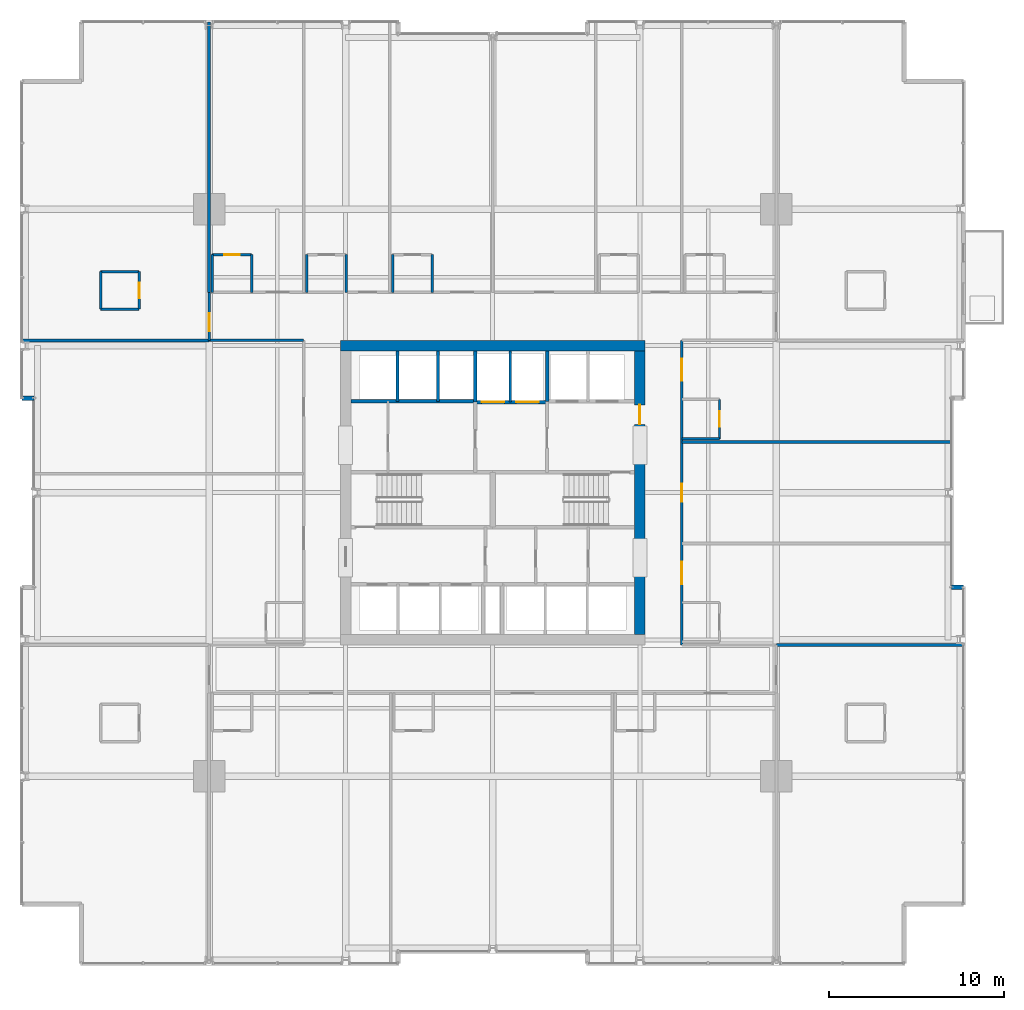
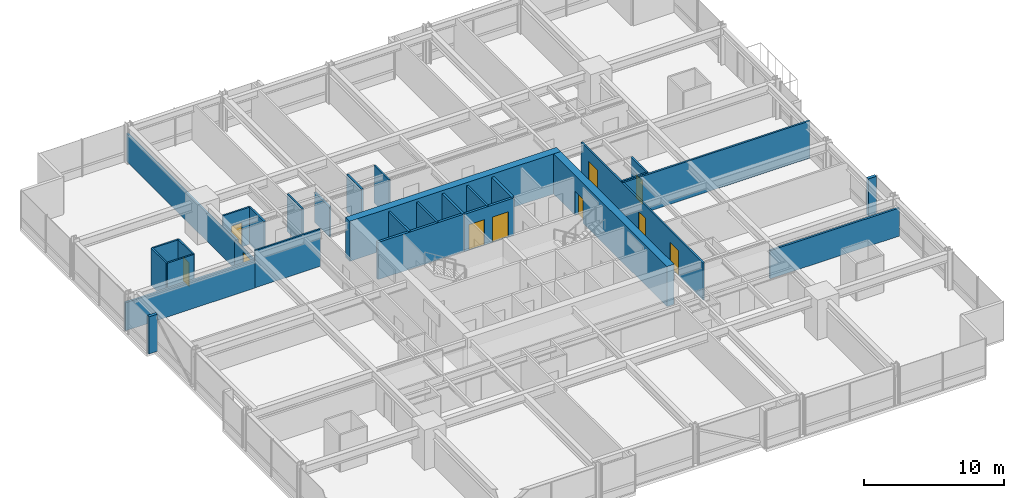
# One storey, part 32 of 38: 31 walls, 10 doors, 10 openings.
"""IFC4 building model written with IfcOpenShell, lengths in metres."""

from ifc_helpers import new_model, si_unit, direction, frame, frame_2d, origin, place, context, subcontext, project, spatial, rectangle, extrude, material, layer, layer_set, type_object, element, fill, save


model = new_model("IFC4")

# Units and contexts
model_context = context("Model", 3, precision=1e-05, world=origin(), true_north=direction((0.0, 1.0)))
body_context = subcontext(model_context, "Body", "Model", "MODEL_VIEW")
ifc_project = project(units=[si_unit("LENGTHUNIT", "METRE"), si_unit("AREAUNIT", "SQUARE_METRE"), si_unit("VOLUMEUNIT", "CUBIC_METRE"), si_unit("PLANEANGLEUNIT", "RADIAN"), si_unit("MASSUNIT", "GRAM", prefix="KILO")], contexts=[model_context])

# Site, building, storey
site_placement = place(None, origin())
site = spatial("IfcSite", under=ifc_project, at=site_placement, CompositionType="ELEMENT")
building_placement = place(site_placement, origin())
building = spatial("IfcBuilding", under=site, at=building_placement, Name="Drelvath Grand Hotel", CompositionType="ELEMENT")
storey_placement = place(building_placement, frame((0.0, 0.0, 71.699951171875)))
storey = spatial("IfcBuildingStorey", under=building, at=storey_placement, Name="L17", CompositionType="ELEMENT", Elevation=71.699951171875)

# Wall
ifc_material_1 = material(Name="Concrete C40/50", Category="concrete")
ifc_layer_1 = layer(ifc_material_1, 0.199951171875)
ifc_layer_set_1 = layer_set([ifc_layer_1], Name="Concrete C40/50")
wall_type_1 = type_object("IfcWallType", Name="Core Hoistway Fire Wall 200", PredefinedType="SOLIDWALL", material=ifc_layer_set_1)
wall_1_placement = place(storey_placement, frame((3.10009765625, 32.219970703125, 0.0), z_axis=(0.0, 0.0, 1.0), x_axis=(0.0, 1.0, 0.0)))
element("IfcWall", 1, at=wall_1_placement, inside=storey, type_object=wall_type_1, Name="L17 FSAE Hoistway West Wall", PredefinedType="SOLIDWALL", context=body_context, shape_type="SweptSolid", body=[
    extrude(rectangle(XDim=2.880126953125, YDim=0.199951171875, at=frame_2d((1.43994140625, 0.0))), origin(), (0.0, 0.0, 1.0), 3.239990234375),
])

# Wall, openings, doors
wall_2_placement = place(storey_placement, frame((-1.0, 32.179931640625, 0.0), z_axis=(0.0, 0.0, 1.0), x_axis=(1.0, 0.0, 0.0)))
wall_2 = element("IfcWall", 2, at=wall_2_placement, inside=storey, type_object=wall_type_1, Name="L17 Service Lift Hoistway Wall", PredefinedType="SOLIDWALL", context=body_context, shape_type="SweptSolid", body=[
    extrude(rectangle(XDim=4.10009765625, YDim=0.199951171875, at=frame_2d((2.050048828125, 0.0))), origin(), (0.0, 0.0, 1.0), 3.239990234375),
])
opening_1_placement = place(wall_2_placement, frame((0.3701171875, 0.0, 0.0)))
opening_1 = element("IfcOpeningElement", 3, at=opening_1_placement, cuts=wall_2, Name="Opening LD-SV-2", PredefinedType="OPENING", context=body_context, shape_type="SweptSolid", body=[
    extrude(rectangle(XDim=1.300048828125, YDim=2.199951171875, at=frame_2d((0.64990234375, 1.10009765625))), frame((0.0, 0.10986328125, 0.0), z_axis=(0.0, -1.0, 0.0), x_axis=(1.0, 0.0, 0.0)), (0.0, 0.0, 1.0), 0.219970703125),
])
opening_2_placement = place(wall_2_placement, frame((2.330078125, 0.0, 0.0)))
opening_2 = element("IfcOpeningElement", 4, at=opening_2_placement, cuts=wall_2, Name="Opening LD-SV-1", PredefinedType="OPENING", context=body_context, shape_type="SweptSolid", body=[
    extrude(rectangle(XDim=1.300048828125, YDim=2.199951171875, at=frame_2d((0.64990234375, 1.10009765625))), frame((0.0, 0.10986328125, 0.0), z_axis=(0.0, -1.0, 0.0), x_axis=(1.0, 0.0, 0.0)), (0.0, 0.0, 1.0), 0.219970703125),
])
ifc_material_2 = material(Name="Stainless Steel S355", Category="steel")
door_type_1 = type_object("IfcDoorType", Name="Service Lift Sliding Landing Door 1300x2200", OperationType="NOTDEFINED", PredefinedType="DOOR", material=ifc_material_2)
door_1_placement = place(opening_1_placement, origin())
door_1 = element("IfcDoor", 5, at=door_1_placement, inside=storey, type_object=door_type_1, Name="L17 Lift SV-2 Landing Door", OperationType="SLIDING_TO_LEFT", OverallHeight=2.199951171875, OverallWidth=1.300048828125, PredefinedType="DOOR", context=body_context, shape_type="SweptSolid", body=[
    extrude(rectangle(XDim=1.300048828125, YDim=2.199951171875, at=frame_2d((0.64990234375, 1.10009765625))), frame((0.0, 0.02490234375, 0.0), z_axis=(0.0, -1.0, 0.0), x_axis=(1.0, 0.0, 0.0)), (0.0, 0.0, 1.0), 0.050048828125),
])
fill(opening_1, door_1)
door_2_placement = place(opening_2_placement, origin())
door_2 = element("IfcDoor", 6, at=door_2_placement, inside=storey, type_object=door_type_1, Name="L17 Lift SV-1 Landing Door", OperationType="SLIDING_TO_LEFT", OverallHeight=2.199951171875, OverallWidth=1.300048828125, PredefinedType="DOOR", context=body_context, shape_type="SweptSolid", body=[
    extrude(rectangle(XDim=1.300048828125, YDim=2.199951171875, at=frame_2d((0.64990234375, 1.10009765625))), frame((0.0, 0.02490234375, 0.0), z_axis=(0.0, -1.0, 0.0), x_axis=(1.0, 0.0, 0.0)), (0.0, 0.0, 1.0), 0.050048828125),
])
fill(opening_2, door_2)

# Walls
wall_3_placement = place(storey_placement, frame((-1.0, 32.179931640625, 0.0), z_axis=(0.0, 0.0, 1.0), x_axis=(0.0, 1.0, 0.0)))
element("IfcWall", 7, at=wall_3_placement, inside=storey, type_object=wall_type_1, Name="L17 Service Lift West Wall", PredefinedType="SOLIDWALL", context=body_context, shape_type="SweptSolid", body=[
    extrude(rectangle(XDim=2.920166015625, YDim=0.199951171875, at=frame_2d((1.4599609375, 0.0))), origin(), (0.0, 0.0, 1.0), 3.239990234375),
])
wall_4_placement = place(storey_placement, frame((-8.10009765625, 32.219970703125, 0.0), z_axis=(0.0, 0.0, 1.0), x_axis=(1.0, 0.0, 0.0)))
element("IfcWall", 8, at=wall_4_placement, inside=storey, type_object=wall_type_1, Name="L17 Bank 3 Hoistway Wall", PredefinedType="SOLIDWALL", context=body_context, shape_type="SweptSolid", body=[
    extrude(rectangle(XDim=7.10009765625, YDim=0.199951171875, at=frame_2d((3.550048828125, 0.0))), origin(), (0.0, 0.0, 1.0), 3.239990234375),
])
ifc_material_3 = material(Name="Gypsum Fireboard Partition")
ifc_layer_2 = layer(ifc_material_3, 0.1650390625)
ifc_layer_set_2 = layer_set([ifc_layer_2], Name="Gypsum Fireboard Partition")
wall_type_2 = type_object("IfcWallType", Name="Core Shaft Partition 165", PredefinedType="PARTITIONING", material=ifc_layer_set_2)
wall_5_placement = place(storey_placement, frame((1.0, 32.179931640625, 0.0), z_axis=(0.0, 0.0, 1.0), x_axis=(0.0, 1.0, 0.0)))
element("IfcWall", 9, at=wall_5_placement, inside=storey, type_object=wall_type_2, Name="L17 Service Lift Divider", PredefinedType="PARTITIONING", context=body_context, shape_type="SweptSolid", body=[
    extrude(rectangle(XDim=2.920166015625, YDim=0.1650390625, at=frame_2d((1.4599609375, 0.0))), origin(), (0.0, 0.0, 1.0), 3.239990234375),
])
for number, where, z_axis, x_axis, name in (
    (10, (-5.43994140625, 32.219970703125, 0.0), (0.0, 0.0, 1.0), (0.0, 1.0, 0.0), "L17 Lift PE-7/8 Divider"),
    (11, (-3.1201171875, 32.219970703125, 0.0), (0.0, 0.0, 1.0), (0.0, 1.0, 0.0), "L17 Lift PE-8/9 Divider"),
):
    element("IfcWall", number, at=place(storey_placement, frame(where, z_axis=z_axis, x_axis=x_axis)), inside=storey, type_object=wall_type_2, Name=name, PredefinedType="PARTITIONING", context=body_context, shape_type="SweptSolid", body=[
        extrude(rectangle(XDim=2.880126953125, YDim=0.1650390625, at=frame_2d((1.43994140625, 0.0))), origin(), (0.0, 0.0, 1.0), 3.239990234375),
    ])
ifc_layer_3 = layer(ifc_material_3, 0.135009765625)
ifc_layer_set_3 = layer_set([ifc_layer_3], Name="Gypsum Fireboard Partition")
wall_type_3 = type_object("IfcWallType", Name="Corridor Fire Barrier Wall 135", PredefinedType="PARTITIONING", material=ifc_layer_set_3)
wall_6_placement = place(storey_placement, frame((-16.199951171875, 35.699951171875, 0.0), z_axis=(0.0, 0.0, 1.0), x_axis=(1.0, 0.0, 0.0)))
element("IfcWall", 12, at=wall_6_placement, inside=storey, type_object=wall_type_3, Name="L17 NW Spur Inner Wall", PredefinedType="PARTITIONING", context=body_context, shape_type="SweptSolid", body=[
    extrude(rectangle(XDim=5.39990234375, YDim=0.135009765625, at=frame_2d((2.699951171875, 0.0))), origin(), (0.0, 0.0, 1.0), 3.239990234375),
])

# Wall, openings, doors
wall_7_placement = place(storey_placement, frame((10.800048828125, 18.300048828125, 0.0), z_axis=(0.0, 0.0, 1.0), x_axis=(0.0, 1.0, 0.0)))
wall_7 = element("IfcWall", 13, at=wall_7_placement, inside=storey, type_object=wall_type_3, Name="L17 East Corridor Wall", PredefinedType="PARTITIONING", context=body_context, shape_type="SweptSolid", body=[
    extrude(rectangle(XDim=17.39990234375, YDim=0.135009765625, at=frame_2d((8.699951171875, 0.0))), origin(), (0.0, 0.0, 1.0), 3.239990234375),
])
opening_3_placement = place(wall_7_placement, frame((3.485107421875, 0.0, 0.0)))
opening_3 = element("IfcOpeningElement", 14, at=opening_3_placement, cuts=wall_7, Name="Opening D-T1G4-047", PredefinedType="OPENING", context=body_context, shape_type="SweptSolid", body=[
    extrude(rectangle(XDim=1.260009765625, YDim=2.199951171875, at=frame_2d((0.6298828125, 1.10009765625))), frame((0.0, 0.077392578125, 0.0), z_axis=(0.0, -1.0, 0.0), x_axis=(1.0, 0.0, 0.0)), (0.0, 0.0, 1.0), 0.155029296875),
])
opening_4_placement = place(wall_7_placement, frame((8.18994140625, 0.0, 0.0)))
opening_4 = element("IfcOpeningElement", 15, at=opening_4_placement, cuts=wall_7, Name="Opening D-T1G4-048", PredefinedType="OPENING", context=body_context, shape_type="SweptSolid", body=[
    extrude(rectangle(XDim=1.02001953125, YDim=2.14990234375, at=frame_2d((0.510009765625, 1.074951171875))), frame((0.0, 0.077392578125, 0.0), z_axis=(0.0, -1.0, 0.0), x_axis=(1.0, 0.0, 0.0)), (0.0, 0.0, 1.0), 0.155029296875),
])
opening_5_placement = place(wall_7_placement, frame((15.0849609375, 0.0, 0.0)))
opening_5 = element("IfcOpeningElement", 16, at=opening_5_placement, cuts=wall_7, Name="Opening D-T1G4-050", PredefinedType="OPENING", context=body_context, shape_type="SweptSolid", body=[
    extrude(rectangle(XDim=1.260009765625, YDim=2.199951171875, at=frame_2d((0.6298828125, 1.10009765625))), frame((0.0, 0.077392578125, 0.0), z_axis=(0.0, -1.0, 0.0), x_axis=(1.0, 0.0, 0.0)), (0.0, 0.0, 1.0), 0.155029296875),
])
ifc_material_4 = material(Name="Hardwood Walnut Timber", Category="wood")
door_type_2 = type_object("IfcDoorType", Name="Amenity Meeting Fire Door 1020x2150", OperationType="NOTDEFINED", PredefinedType="DOOR", material=ifc_material_4)
door_3_placement = place(opening_4_placement, origin())
door_3 = element("IfcDoor", 17, at=door_3_placement, inside=storey, type_object=door_type_2, Name="L17 Hospitality Management Office Entry Door", OperationType="SINGLE_SWING_LEFT", OverallHeight=2.14990234375, OverallWidth=1.02001953125, PredefinedType="DOOR", context=body_context, shape_type="SweptSolid", body=[
    extrude(rectangle(XDim=1.02001953125, YDim=2.14990234375, at=frame_2d((0.510009765625, 1.074951171875))), frame((0.0, 0.02490234375, 0.0), z_axis=(0.0, -1.0, 0.0), x_axis=(1.0, 0.0, 0.0)), (0.0, 0.0, 1.0), 0.050048828125),
])
fill(opening_4, door_3)
door_type_3 = type_object("IfcDoorType", Name="Suite Entrance Fire Door 1260x2200", OperationType="NOTDEFINED", PredefinedType="DOOR", material=ifc_material_4)
door_4_placement = place(opening_3_placement, origin())
door_4 = element("IfcDoor", 18, at=door_4_placement, inside=storey, type_object=door_type_3, Name="L17 Corner Suite Entry Door", OperationType="SINGLE_SWING_RIGHT", OverallHeight=2.199951171875, OverallWidth=1.260009765625, PredefinedType="DOOR", context=body_context, shape_type="SweptSolid", body=[
    extrude(rectangle(XDim=1.260009765625, YDim=2.199951171875, at=frame_2d((0.6298828125, 1.10009765625))), frame((0.0, 0.02490234375, 0.0), z_axis=(0.0, -1.0, 0.0), x_axis=(1.0, 0.0, 0.0)), (0.0, 0.0, 1.0), 0.050048828125),
])
fill(opening_3, door_4)
door_5_placement = place(opening_5_placement, origin())
door_5 = element("IfcDoor", 19, at=door_5_placement, inside=storey, type_object=door_type_3, Name="L17 Corner Suite Entry Door", OperationType="SINGLE_SWING_LEFT", OverallHeight=2.199951171875, OverallWidth=1.260009765625, PredefinedType="DOOR", context=body_context, shape_type="SweptSolid", body=[
    extrude(rectangle(XDim=1.260009765625, YDim=2.199951171875, at=frame_2d((0.6298828125, 1.10009765625))), frame((0.0, 0.02490234375, 0.0), z_axis=(0.0, -1.0, 0.0), x_axis=(1.0, 0.0, 0.0)), (0.0, 0.0, 1.0), 0.050048828125),
])
fill(opening_5, door_5)

# Wall, opening, door
wall_8_placement = place(storey_placement, frame((-16.199951171875, 35.699951171875, 0.0), z_axis=(0.0, 0.0, 1.0), x_axis=(0.0, 1.0, 0.0)))
wall_8 = element("IfcWall", 20, at=wall_8_placement, inside=storey, type_object=wall_type_3, Name="L17 North Corridor West End", PredefinedType="PARTITIONING", context=body_context, shape_type="SweptSolid", body=[
    extrude(rectangle(XDim=2.75, YDim=0.135009765625, at=frame_2d((1.375, 0.0))), origin(), (0.0, 0.0, 1.0), 2.451904296875),
])
opening_6_placement = place(wall_8_placement, frame((0.52001953125, 0.0, 0.0)))
opening_6 = element("IfcOpeningElement", 21, at=opening_6_placement, cuts=wall_8, Name="Opening D-T1G4-023", PredefinedType="OPENING", context=body_context, shape_type="SweptSolid", body=[
    extrude(rectangle(XDim=1.02001953125, YDim=2.14990234375, at=frame_2d((0.510009765625, 1.074951171875))), frame((0.0, 0.077392578125, 0.0), z_axis=(0.0, -1.0, 0.0), x_axis=(1.0, 0.0, 0.0)), (0.0, 0.0, 1.0), 0.155029296875),
])
door_6_placement = place(opening_6_placement, origin())
door_6 = element("IfcDoor", 22, at=door_6_placement, inside=storey, type_object=door_type_2, Name="L17 Corner Suite Entry Door", OperationType="SINGLE_SWING_RIGHT", OverallHeight=2.14990234375, OverallWidth=1.02001953125, PredefinedType="DOOR", context=body_context, shape_type="SweptSolid", body=[
    extrude(rectangle(XDim=1.02001953125, YDim=2.14990234375, at=frame_2d((0.510009765625, 1.074951171875))), frame((0.0, 0.02490234375, 0.0), z_axis=(0.0, -1.0, 0.0), x_axis=(1.0, 0.0, 0.0)), (0.0, 0.0, 1.0), 0.050048828125),
])
fill(opening_6, door_6)

# Walls
ifc_material_5 = material(Name="Moisture-Resistant Gypsum Board")
ifc_layer_4 = layer(ifc_material_5, 0.139892578125)
ifc_layer_set_4 = layer_set([ifc_layer_4], Name="Moisture-Resistant Gypsum Board")
wall_type_4 = type_object("IfcWallType", Name="En-Suite Plumbing Wall 140", PredefinedType="PLUMBINGWALL", material=ifc_layer_set_4)
for number, where, z_axis, x_axis, name in (
    (23, (-22.39990234375, 37.47998046875, 0.0), (0.0, 0.0, 1.0), (1.0, 0.0, 0.0), "L17 Corner En-Suite South"),
    (24, (-22.39990234375, 39.6298828125, 0.0), (0.0, 0.0, 1.0), (1.0, 0.0, 0.0), "L17 Corner En-Suite North"),
):
    element("IfcWall", number, at=place(storey_placement, frame(where, z_axis=z_axis, x_axis=x_axis)), inside=storey, type_object=wall_type_4, Name=name, PredefinedType="PLUMBINGWALL", context=body_context, shape_type="SweptSolid", body=[
        extrude(rectangle(XDim=2.199951171875, YDim=0.139892578125, at=frame_2d((1.10009765625, 0.0))), origin(), (0.0, 0.0, 1.0), 3.239990234375),
    ])
wall_9_placement = place(storey_placement, frame((-22.39990234375, 37.47998046875, 0.0), z_axis=(0.0, 0.0, 1.0), x_axis=(0.0, 1.0, 0.0)))
element("IfcWall", 25, at=wall_9_placement, inside=storey, type_object=wall_type_4, Name="L17 Corner En-Suite West", PredefinedType="PLUMBINGWALL", context=body_context, shape_type="SweptSolid", body=[
    extrude(rectangle(XDim=2.14990234375, YDim=0.139892578125, at=frame_2d((1.074951171875, 0.0))), origin(), (0.0, 0.0, 1.0), 3.239990234375),
])

# Wall, opening, door
wall_10_placement = place(storey_placement, frame((-20.199951171875, 37.47998046875, 0.0), z_axis=(0.0, 0.0, 1.0), x_axis=(0.0, 1.0, 0.0)))
wall_10 = element("IfcWall", 26, at=wall_10_placement, inside=storey, type_object=wall_type_4, Name="L17 Corner En-Suite East", PredefinedType="PLUMBINGWALL", context=body_context, shape_type="SweptSolid", body=[
    extrude(rectangle(XDim=2.14990234375, YDim=0.139892578125, at=frame_2d((1.074951171875, 0.0))), origin(), (0.0, 0.0, 1.0), 3.239990234375),
])
opening_7_placement = place(wall_10_placement, frame((0.6201171875, 0.0, 0.0)))
opening_7 = element("IfcOpeningElement", 27, at=opening_7_placement, cuts=wall_10, Name="Opening D-T1G4-022", PredefinedType="OPENING", context=body_context, shape_type="SweptSolid", body=[
    extrude(rectangle(XDim=0.8798828125, YDim=2.10009765625, at=frame_2d((0.43994140625, 1.050048828125))), frame((0.0, 0.079833984375, 0.0), z_axis=(0.0, -1.0, 0.0), x_axis=(1.0, 0.0, 0.0)), (0.0, 0.0, 1.0), 0.159912109375),
])
door_type_4 = type_object("IfcDoorType", Name="En-Suite Bathroom Door 880x2100", OperationType="NOTDEFINED", PredefinedType="DOOR", material=ifc_material_4)
door_7_placement = place(opening_7_placement, origin())
door_7 = element("IfcDoor", 28, at=door_7_placement, inside=storey, type_object=door_type_4, Name="L17 Corner En-Suite Door", OperationType="SINGLE_SWING_LEFT", OverallHeight=2.10009765625, OverallWidth=0.8798828125, PredefinedType="DOOR", context=body_context, shape_type="SweptSolid", body=[
    extrude(rectangle(XDim=0.8798828125, YDim=2.10009765625, at=frame_2d((0.43994140625, 1.050048828125))), frame((0.0, 0.02490234375, 0.0), z_axis=(0.0, -1.0, 0.0), x_axis=(1.0, 0.0, 0.0)), (0.0, 0.0, 1.0), 0.050048828125),
])
fill(opening_7, door_7)

# Walls
wall_11_placement = place(storey_placement, frame((-16.02001953125, 38.449951171875, 0.0), z_axis=(0.0, 0.0, 1.0), x_axis=(0.0, 1.0, 0.0)))
element("IfcWall", 29, at=wall_11_placement, inside=storey, type_object=wall_type_4, Name="L17 En-Suite Left Wall", PredefinedType="PLUMBINGWALL", context=body_context, shape_type="SweptSolid", body=[
    extrude(rectangle(XDim=2.150146484375, YDim=0.139892578125, at=frame_2d((1.0751953125, 0.0))), origin(), (0.0, 0.0, 1.0), 2.451904296875),
])
wall_12_placement = place(storey_placement, frame((-13.77001953125, 38.449951171875, 0.0), z_axis=(0.0, 0.0, 1.0), x_axis=(0.0, 1.0, 0.0)))
element("IfcWall", 30, at=wall_12_placement, inside=storey, type_object=wall_type_4, Name="L17 En-Suite Right Wall", PredefinedType="PLUMBINGWALL", context=body_context, shape_type="SweptSolid", body=[
    extrude(rectangle(XDim=2.150146484375, YDim=0.139892578125, at=frame_2d((1.0751953125, 0.0))), origin(), (0.0, 0.0, 1.0), 3.239990234375),
])

# Wall, opening, door
wall_13_placement = place(storey_placement, frame((-16.02001953125, 40.60009765625, 0.0), z_axis=(0.0, 0.0, 1.0), x_axis=(1.0, 0.0, 0.0)))
wall_13 = element("IfcWall", 31, at=wall_13_placement, inside=storey, type_object=wall_type_4, Name="L17 En-Suite Front Wall", PredefinedType="PLUMBINGWALL", context=body_context, shape_type="SweptSolid", body=[
    extrude(rectangle(XDim=2.25, YDim=0.139892578125, at=frame_2d((1.125, 0.0))), origin(), (0.0, 0.0, 1.0), 3.239990234375),
])
opening_8_placement = place(wall_13_placement, frame((0.68505859375, 0.0, 0.0)))
opening_8 = element("IfcOpeningElement", 32, at=opening_8_placement, cuts=wall_13, Name="Opening D-T1G4-032", PredefinedType="OPENING", context=body_context, shape_type="SweptSolid", body=[
    extrude(rectangle(XDim=0.8798828125, YDim=2.10009765625, at=frame_2d((0.43994140625, 1.050048828125))), frame((0.0, 0.079833984375, 0.0), z_axis=(0.0, -1.0, 0.0), x_axis=(1.0, 0.0, 0.0)), (0.0, 0.0, 1.0), 0.159912109375),
])
door_8_placement = place(opening_8_placement, origin())
door_8 = element("IfcDoor", 33, at=door_8_placement, inside=storey, type_object=door_type_4, Name="L17 En-Suite Bathroom Door", OperationType="SINGLE_SWING_LEFT", OverallHeight=2.10009765625, OverallWidth=0.8798828125, PredefinedType="DOOR", context=body_context, shape_type="SweptSolid", body=[
    extrude(rectangle(XDim=0.8798828125, YDim=2.10009765625, at=frame_2d((0.43994140625, 1.050048828125))), frame((0.0, 0.02490234375, 0.0), z_axis=(0.0, -1.0, 0.0), x_axis=(1.0, 0.0, 0.0)), (0.0, 0.0, 1.0), 0.050048828125),
])
fill(opening_8, door_8)

# Walls
wall_14_placement = place(storey_placement, frame((-10.6201171875, 38.449951171875, 0.0), z_axis=(0.0, 0.0, 1.0), x_axis=(0.0, 1.0, 0.0)))
element("IfcWall", 34, at=wall_14_placement, inside=storey, type_object=wall_type_4, Name="L17 En-Suite Left Wall", PredefinedType="PLUMBINGWALL", context=body_context, shape_type="SweptSolid", body=[
    extrude(rectangle(XDim=2.150146484375, YDim=0.139892578125, at=frame_2d((1.0751953125, 0.0))), origin(), (0.0, 0.0, 1.0), 3.239990234375),
])
wall_15_placement = place(storey_placement, frame((-8.3701171875, 38.449951171875, 0.0), z_axis=(0.0, 0.0, 1.0), x_axis=(0.0, 1.0, 0.0)))
element("IfcWall", 35, at=wall_15_placement, inside=storey, type_object=wall_type_4, Name="L17 En-Suite Right Wall", PredefinedType="PLUMBINGWALL", context=body_context, shape_type="SweptSolid", body=[
    extrude(rectangle(XDim=2.150146484375, YDim=0.139892578125, at=frame_2d((1.0751953125, 0.0))), origin(), (0.0, 0.0, 1.0), 2.617431640625),
])
for number, where, z_axis, x_axis, name in (
    (36, (-5.7109375, 38.449951171875, 0.0), (0.0, 0.0, 1.0), (0.0, 1.0, 0.0), "L17 En-Suite Left Wall"),
    (37, (-3.4609375, 38.449951171875, 0.0), (0.0, 0.0, 1.0), (0.0, 1.0, 0.0), "L17 En-Suite Right Wall"),
):
    element("IfcWall", number, at=place(storey_placement, frame(where, z_axis=z_axis, x_axis=x_axis)), inside=storey, type_object=wall_type_4, Name=name, PredefinedType="PLUMBINGWALL", context=body_context, shape_type="SweptSolid", body=[
        extrude(rectangle(XDim=2.150146484375, YDim=0.139892578125, at=frame_2d((1.0751953125, 0.0))), origin(), (0.0, 0.0, 1.0), 3.239990234375),
    ])
wall_16_placement = place(storey_placement, frame((10.800048828125, 30.080078125, 0.0), z_axis=(0.0, 0.0, 1.0), x_axis=(1.0, 0.0, 0.0)))
element("IfcWall", 38, at=wall_16_placement, inside=storey, type_object=wall_type_4, Name="L17 En-Suite Left Wall", PredefinedType="PLUMBINGWALL", context=body_context, shape_type="SweptSolid", body=[
    extrude(rectangle(XDim=2.14990234375, YDim=0.139892578125, at=frame_2d((1.074951171875, 0.0))), origin(), (0.0, 0.0, 1.0), 3.239990234375),
])

# Wall, opening, door
wall_17_placement = place(storey_placement, frame((12.949951171875, 30.080078125, 0.0), z_axis=(0.0, 0.0, 1.0), x_axis=(0.0, 1.0, 0.0)))
wall_17 = element("IfcWall", 39, at=wall_17_placement, inside=storey, type_object=wall_type_4, Name="L17 En-Suite Front Wall", PredefinedType="PLUMBINGWALL", context=body_context, shape_type="SweptSolid", body=[
    extrude(rectangle(XDim=2.25, YDim=0.139892578125, at=frame_2d((1.125, 0.0))), origin(), (0.0, 0.0, 1.0), 3.239990234375),
])
opening_9_placement = place(wall_17_placement, frame((0.68505859375, 0.0, 0.0)))
opening_9 = element("IfcOpeningElement", 40, at=opening_9_placement, cuts=wall_17, Name="Opening D-T1G4-049", PredefinedType="OPENING", context=body_context, shape_type="SweptSolid", body=[
    extrude(rectangle(XDim=0.8798828125, YDim=2.10009765625, at=frame_2d((0.43994140625, 1.050048828125))), frame((0.0, 0.079833984375, 0.0), z_axis=(0.0, -1.0, 0.0), x_axis=(1.0, 0.0, 0.0)), (0.0, 0.0, 1.0), 0.159912109375),
])
door_9_placement = place(opening_9_placement, origin())
door_9 = element("IfcDoor", 41, at=door_9_placement, inside=storey, type_object=door_type_4, Name="L17 En-Suite Bathroom Door", OperationType="SINGLE_SWING_RIGHT", OverallHeight=2.10009765625, OverallWidth=0.8798828125, PredefinedType="DOOR", context=body_context, shape_type="SweptSolid", body=[
    extrude(rectangle(XDim=0.8798828125, YDim=2.10009765625, at=frame_2d((0.43994140625, 1.050048828125))), frame((0.0, 0.02490234375, 0.0), z_axis=(0.0, -1.0, 0.0), x_axis=(1.0, 0.0, 0.0)), (0.0, 0.0, 1.0), 0.050048828125),
])
fill(opening_9, door_9)

# Walls
ifc_material_6 = material(Name="Gypsum Acoustic Partition")
ifc_layer_5 = layer(ifc_material_6, 0.14990234375)
ifc_layer_set_5 = layer_set([ifc_layer_5], Name="Gypsum Acoustic Partition")
wall_type_5 = type_object("IfcWallType", Name="Guestroom Demising Wall 150", PredefinedType="PARTITIONING", material=ifc_layer_set_5)
wall_18_placement = place(storey_placement, frame((10.800048828125, 29.89990234375, 0.0), z_axis=(0.0, 0.0, 1.0), x_axis=(1.0, 0.0, 0.0)))
element("IfcWall", 42, at=wall_18_placement, inside=storey, type_object=wall_type_5, Name="L17 East Demising 2", PredefinedType="PARTITIONING", context=body_context, shape_type="SweptSolid", body=[
    extrude(rectangle(XDim=15.39990234375, YDim=0.14990234375, at=frame_2d((7.699951171875, 0.0))), origin(), (0.0, 0.0, 1.0), 3.239990234375),
])
ifc_material_7 = material(Name="Concrete f'c 70 MPa", Category="concrete")
ifc_layer_6 = layer(ifc_material_7, 0.60009765625)
ifc_layer_set_6 = layer_set([ifc_layer_6], Name="Concrete f'c 70 MPa")
wall_type_6 = type_object("IfcWallType", Name="Lower Core RC Shear Wall 600", PredefinedType="SHEAR", material=ifc_layer_set_6)
wall_19_placement = place(storey_placement, frame((-8.699951171875, 35.39990234375, 0.0), z_axis=(0.0, 0.0, 1.0), x_axis=(1.0, 0.0, 0.0)))
element("IfcWall", 43, at=wall_19_placement, inside=storey, type_object=wall_type_6, Name="L17 Central Core Shear Wall N", PredefinedType="SHEAR", context=body_context, shape_type="SweptSolid", body=[
    extrude(rectangle(XDim=17.39990234375, YDim=0.60009765625, at=frame_2d((8.699951171875, 0.0))), origin(), (0.0, 0.0, 1.0), 3.5),
])

# Wall, opening, door
wall_20_placement = place(storey_placement, frame((8.39990234375, 35.10009765625, 0.0), z_axis=(0.0, 0.0, 1.0), x_axis=(0.0, -1.0, 0.0)))
wall_20 = element("IfcWall", 44, at=wall_20_placement, inside=storey, type_object=wall_type_6, Name="L17 Central Core Shear Wall E", PredefinedType="SHEAR", context=body_context, shape_type="SweptSolid", body=[
    extrude(rectangle(XDim=16.2001953125, YDim=0.60009765625, at=frame_2d((8.10009765625, 0.0))), origin(), (0.0, 0.0, 1.0), 3.5),
])
opening_10_placement = place(wall_20_placement, frame((3.080078125, 0.0, 0.0)))
opening_10 = element("IfcOpeningElement", 45, at=opening_10_placement, cuts=wall_20, Name="Opening D-T1G4-006", PredefinedType="OPENING", context=body_context, shape_type="SweptSolid", body=[
    extrude(rectangle(XDim=1.1201171875, YDim=2.10009765625, at=frame_2d((0.56005859375, 1.050048828125))), frame((0.0, 0.31005859375, 0.0), z_axis=(0.0, -1.0, 0.0), x_axis=(1.0, 0.0, 0.0)), (0.0, 0.0, 1.0), 0.6201171875),
])
ifc_material_8 = material(Name="Painted Steel S275", Category="steel")
door_type_5 = type_object("IfcDoorType", Name="FSAE Smoke Lobby Fire Door 1120x2100", OperationType="NOTDEFINED", PredefinedType="DOOR", material=ifc_material_8)
door_10_placement = place(opening_10_placement, origin())
door_10 = element("IfcDoor", 46, at=door_10_placement, inside=storey, type_object=door_type_5, Name="L17 FSAE Lobby East Corridor Door", OperationType="SINGLE_SWING_LEFT", OverallHeight=2.10009765625, OverallWidth=1.1201171875, PredefinedType="DOOR", context=body_context, shape_type="SweptSolid", body=[
    extrude(rectangle(XDim=1.1201171875, YDim=2.10009765625, at=frame_2d((0.56005859375, 1.050048828125))), frame((0.0, 0.02490234375, 0.0), z_axis=(0.0, -1.0, 0.0), x_axis=(1.0, 0.0, 0.0)), (0.0, 0.0, 1.0), 0.050048828125),
])
fill(opening_10, door_10)

# Walls
ifc_layer_7 = layer(ifc_material_6, 0.1650390625)
ifc_layer_set_7 = layer_set([ifc_layer_7], Name="Gypsum Acoustic Partition")
wall_type_7 = type_object("IfcWallType", Name="Suite Demising Wall 165", PredefinedType="PARTITIONING", material=ifc_layer_set_7)
wall_21_placement = place(storey_placement, frame((-16.199951171875, 38.449951171875, 0.0), z_axis=(0.0, 0.0, 1.0), x_axis=(0.0, 1.0, 0.0)))
element("IfcWall", 47, at=wall_21_placement, inside=storey, type_object=wall_type_7, Name="L17 NW Wing Boundary Wall", PredefinedType="PARTITIONING", context=body_context, shape_type="SweptSolid", body=[
    extrude(rectangle(XDim=15.429931640625, YDim=0.1650390625, at=frame_2d((7.71484375, 0.0))), origin(), (0.0, 0.0, 1.0), 2.451904296875),
])
for number, where, z_axis, x_axis, name in (
    (48, (16.199951171875, 18.300048828125, 0.0), (0.0, 0.0, 1.0), (1.0, 0.0, 0.0), "L17 SE Corner North Wall"),
    (49, (-26.8798828125, 35.699951171875, 0.0), (0.0, 0.0, 1.0), (1.0, 0.0, 0.0), "L17 NW Corner South Wall"),
):
    element("IfcWall", number, at=place(storey_placement, frame(where, z_axis=z_axis, x_axis=x_axis)), inside=storey, type_object=wall_type_7, Name=name, PredefinedType="PARTITIONING", context=body_context, shape_type="SweptSolid", body=[
        extrude(rectangle(XDim=10.679931640625, YDim=0.1650390625, at=frame_2d((5.33984375, 0.0))), origin(), (0.0, 0.0, 1.0), 2.451904296875),
    ])
ifc_material_9 = material(Name="Pale-Metal Insulated Aluminium Spandrel Assembly", Category="aluminium")
ifc_layer_8 = layer(ifc_material_9, 0.239990234375)
ifc_layer_set_8 = layer_set([ifc_layer_8], Name="Pale-Metal Insulated Aluminium Spandrel Assembly")
wall_type_8 = type_object("IfcWallType", Name="Tower Insulated Metal Spandrel Closure Wall 240", PredefinedType="STANDARD", material=ifc_layer_set_8)
for number, where, z_axis, x_axis, name in (
    (50, (-26.199951171875, 32.39990234375, 0.0), (0.0, 0.0, 1.0), (-1.0, 0.0, 0.0), "L17 Notched Corner Return Spandrel Wall RW2"),
    (51, (26.199951171875, 21.60009765625, 0.0), (0.0, 0.0, 1.0), (1.0, 0.0, 0.0), "L17 Notched Corner Return Spandrel Wall RE2"),
):
    element("IfcWall", number, at=place(storey_placement, frame(where, z_axis=z_axis, x_axis=x_axis)), inside=storey, type_object=wall_type_8, Name=name, PredefinedType="STANDARD", context=body_context, shape_type="SweptSolid", body=[
        extrude(rectangle(XDim=0.679931640625, YDim=0.239990234375, at=frame_2d((0.33984375, 0.0))), origin(), (0.0, 0.0, 1.0), 3.239990234375),
    ])

save(model, "model.ifc")
